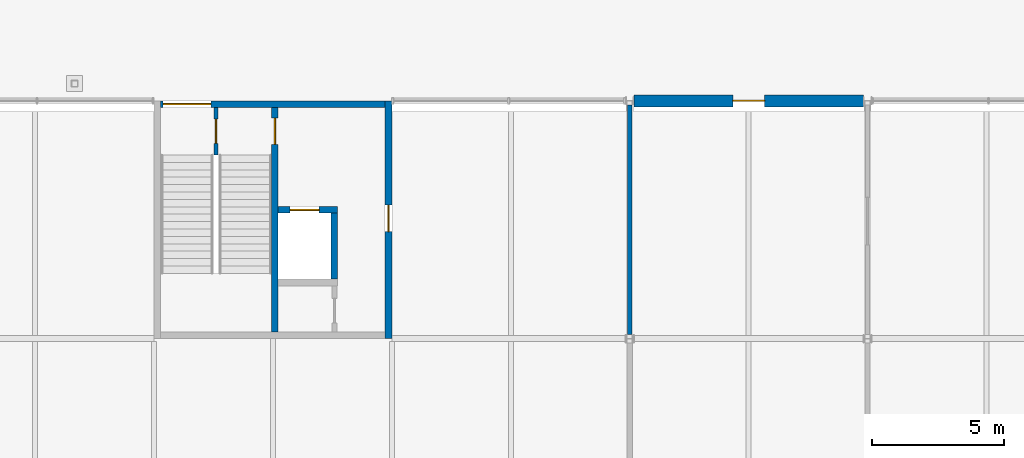
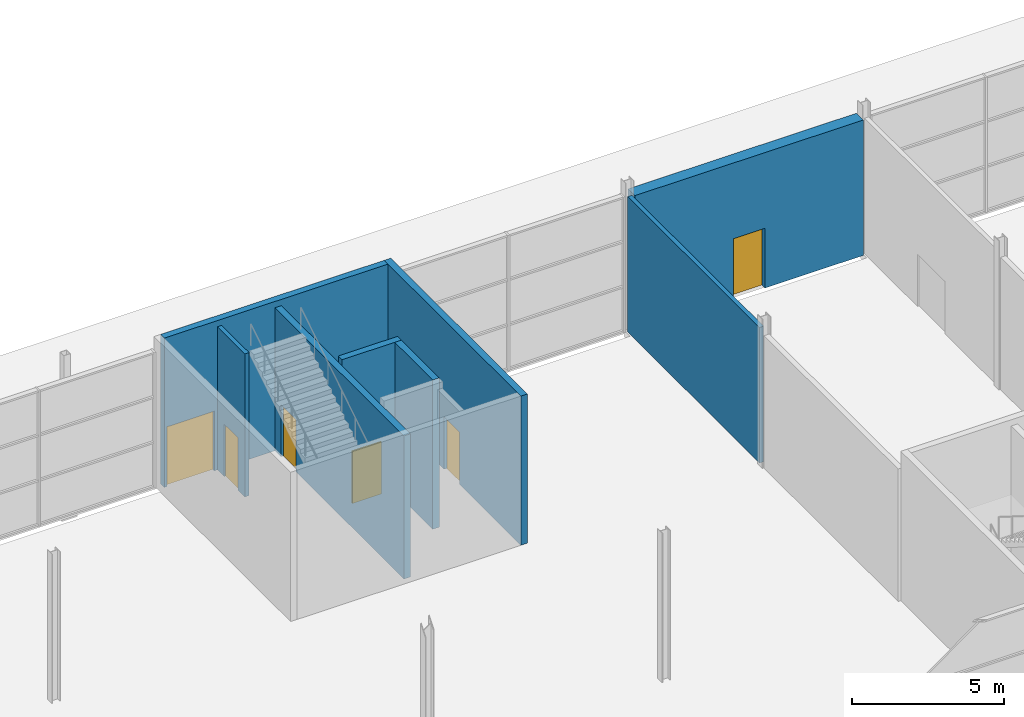
# One storey, part 73 of 97: 8 walls, 6 doors, 6 openings.
"""IFC4 building model written with IfcOpenShell, lengths in metres."""

from ifc_helpers import new_model, si_unit, direction, frame, frame_2d, origin, place, context, subcontext, project, spatial, rectangle, extrude, material, layer, layer_set, type_object, element, fill, save


model = new_model("IFC4")

# Units and contexts
model_context = context("Model", 3, precision=1e-05, world=origin(), true_north=direction((0.0, 1.0)))
body_context = subcontext(model_context, "Body", "Model", "MODEL_VIEW")
ifc_project = project(units=[si_unit("LENGTHUNIT", "METRE"), si_unit("AREAUNIT", "SQUARE_METRE"), si_unit("VOLUMEUNIT", "CUBIC_METRE"), si_unit("PLANEANGLEUNIT", "RADIAN"), si_unit("MASSUNIT", "GRAM", prefix="KILO")], contexts=[model_context])

# Site, building, storey
site_placement = place(None, origin())
site = spatial("IfcSite", under=ifc_project, at=site_placement, CompositionType="ELEMENT")
building_placement = place(site_placement, origin())
building = spatial("IfcBuilding", under=site, at=building_placement, Name="Corbel Yard City Hall", CompositionType="ELEMENT")
storey_placement = place(building_placement, origin())
storey = spatial("IfcBuildingStorey", under=building, at=storey_placement, Name="L00", CompositionType="ELEMENT", Elevation=0.0)

# Wall, opening, door
ifc_material_1 = material(Name="Concrete N50 (50 MPa)", Category="concrete")
ifc_layer_1 = layer(ifc_material_1, 0.25)
ifc_layer_set_1 = layer_set([ifc_layer_1], Name="Concrete N50 (50 MPa)")
wall_type_1 = type_object("IfcWallType", Name="Core cell wall 250", PredefinedType="SHEAR", material=ifc_layer_set_1)
wall_1_placement = place(storey_placement, frame((107.875, 108.0, 0.0), z_axis=(0.0, 0.0, 1.0), x_axis=(0.0, 1.0, 0.0)))
wall_1 = element("IfcWall", 1, at=wall_1_placement, inside=storey, type_object=wall_type_1, Name="Core PC-N2 east wall", PredefinedType="SHEAR", context=body_context, shape_type="SweptSolid", body=[
    extrude(rectangle(XDim=9.0, YDim=0.25, at=frame_2d((4.5, 0.0))), origin(), (0.0, 0.0, 1.0), 6.0),
])
opening_1_placement = place(wall_1_placement, frame((4.050048828125, 0.0, 0.0)))
opening_1 = element("IfcOpeningElement", 2, at=opening_1_placement, cuts=wall_1, Name="Opening L00-211", PredefinedType="OPENING", context=body_context, shape_type="SweptSolid", body=[
    extrude(rectangle(XDim=1.0, YDim=2.10009765625, at=frame_2d((0.5, 1.050048828125))), frame((0.0, 0.135009765625, 0.0), z_axis=(0.0, -1.0, 0.0), x_axis=(1.0, 0.0, 0.0)), (0.0, 0.0, 1.0), 0.27001953125),
])
ifc_material_2 = material(Name="Steel Grade G250", Category="steel")
door_type_1 = type_object("IfcDoorType", Name="FS1", OperationType="SINGLE_SWING_LEFT", PredefinedType="DOOR", material=ifc_material_2)
door_1_placement = place(opening_1_placement, origin())
door_1 = element("IfcDoor", 3, at=door_1_placement, inside=storey, type_object=door_type_1, Name="Door Lift Lobby", OperationType="SINGLE_SWING_RIGHT", OverallHeight=2.10009765625, OverallWidth=1.0, PredefinedType="DOOR", context=body_context, shape_type="SweptSolid", body=[
    extrude(rectangle(XDim=1.0, YDim=2.10009765625, at=frame_2d((0.5, 1.050048828125))), frame((0.0, 0.02490234375, 0.0), z_axis=(0.0, -1.0, 0.0), x_axis=(1.0, 0.0, 0.0)), (0.0, 0.0, 1.0), 0.050048828125),
])
fill(opening_1, door_1)

wall_2_placement = place(storey_placement, frame((99.25, 116.875, 0.0), z_axis=(0.0, 0.0, 1.0), x_axis=(1.0, 0.0, 0.0)))
wall_2 = element("IfcWall", 4, at=wall_2_placement, inside=storey, type_object=wall_type_1, Name="Core PC-N2 north wall", PredefinedType="SHEAR", context=body_context, shape_type="SweptSolid", body=[
    extrude(rectangle(XDim=8.5, YDim=0.25, at=frame_2d((4.25, 0.0))), origin(), (0.0, 0.0, 1.0), 6.0),
])
opening_2_placement = place(wall_2_placement, frame((0.10009765625, 0.0, 0.0)))
opening_2 = element("IfcOpeningElement", 5, at=opening_2_placement, cuts=wall_2, Name="Opening L00-046", PredefinedType="OPENING", context=body_context, shape_type="SweptSolid", body=[
    extrude(rectangle(XDim=1.800048828125, YDim=2.39990234375, at=frame_2d((0.89990234375, 1.199951171875))), frame((0.0, 0.135009765625, 0.0), z_axis=(0.0, -1.0, 0.0), x_axis=(1.0, 0.0, 0.0)), (0.0, 0.0, 1.0), 0.27001953125),
])
ifc_material_3 = material(Name="Steel Grade G250, insulated infill", Category="steel")
door_type_2 = type_object("IfcDoorType", Name="XD2", OperationType="DOUBLE_DOOR_SINGLE_SWING", PredefinedType="DOOR", material=ifc_material_3)
door_2_placement = place(opening_2_placement, origin())
door_2 = element("IfcDoor", 6, at=door_2_placement, inside=storey, type_object=door_type_2, Name="Stair exit door PC-N2", OperationType="DOUBLE_DOOR_SINGLE_SWING", OverallHeight=2.39990234375, OverallWidth=1.800048828125, PredefinedType="DOOR", context=body_context, shape_type="SweptSolid", body=[
    extrude(rectangle(XDim=1.800048828125, YDim=2.39990234375, at=frame_2d((0.89990234375, 1.199951171875))), frame((0.0, 0.02490234375, 0.0), z_axis=(0.0, -1.0, 0.0), x_axis=(1.0, 0.0, 0.0)), (0.0, 0.0, 1.0), 0.050048828125),
])
fill(opening_2, door_2)

ifc_material_4 = material(Name="Sandstone cladding", Category="masonry")
ifc_layer_2 = layer(ifc_material_4, 0.06005859375)
ifc_material_5 = material(Name="Air cavity", Category="air")
ifc_layer_3 = layer(ifc_material_5, 0.0400390625)
ifc_material_6 = material(Name="Concrete N40 (40 MPa)", Category="concrete")
ifc_layer_4 = layer(ifc_material_6, 0.25)
ifc_material_7 = material(Name="Mineral wool", Category="insulation")
ifc_layer_5 = layer(ifc_material_7, 0.10009765625)
ifc_layer_set_2 = layer_set([ifc_layer_2, ifc_layer_3, ifc_layer_4, ifc_layer_5], Name="Concrete N40 (40 MPa)")
wall_type_2 = type_object("IfcWallType", Name="EW2", PredefinedType="SOLIDWALL", material=ifc_layer_set_2)
wall_3_placement = place(storey_placement, frame((117.157470703125, 117.0, 0.0), z_axis=(0.0, 0.0, 1.0), x_axis=(1.0, 0.0, 0.0)))
wall_3 = element("IfcWall", 7, at=wall_3_placement, inside=storey, type_object=wall_type_2, Name="Entrance pier wall", PredefinedType="SOLIDWALL", context=body_context, shape_type="SweptSolid", body=[
    extrude(rectangle(XDim=8.68505859375, YDim=0.449951171875, at=frame_2d((4.342529296875, 0.0))), origin(), (0.0, 0.0, 1.0), 5.444091796875),
])
opening_3_placement = place(wall_3_placement, frame((3.742431640625, 0.0, 0.0)))
opening_3 = element("IfcOpeningElement", 8, at=opening_3_placement, cuts=wall_3, Name="Opening L00-023", PredefinedType="OPENING", context=body_context, shape_type="SweptSolid", body=[
    extrude(rectangle(XDim=1.199951171875, YDim=2.39990234375, at=frame_2d((0.60009765625, 1.199951171875))), frame((0.0, 0.23486328125, 0.0), z_axis=(0.0, -1.0, 0.0), x_axis=(1.0, 0.0, 0.0)), (0.0, 0.0, 1.0), 0.469970703125),
])
door_type_3 = type_object("IfcDoorType", Name="XD10", OperationType="SINGLE_SWING_LEFT", PredefinedType="DOOR", material=ifc_material_3)
door_3_placement = place(opening_3_placement, origin())
door_3 = element("IfcDoor", 9, at=door_3_placement, inside=storey, type_object=door_type_3, Name="Staff entrance door 1", OperationType="SINGLE_SWING_LEFT", OverallHeight=2.39990234375, OverallWidth=1.199951171875, PredefinedType="DOOR", context=body_context, shape_type="SweptSolid", body=[
    extrude(rectangle(XDim=1.199951171875, YDim=2.39990234375, at=frame_2d((0.60009765625, 1.199951171875))), frame((0.0, 0.02490234375, 0.0), z_axis=(0.0, -1.0, 0.0), x_axis=(1.0, 0.0, 0.0)), (0.0, 0.0, 1.0), 0.050048828125),
])
fill(opening_3, door_3)

ifc_layer_6 = layer(ifc_material_6, 0.25)
ifc_layer_set_3 = layer_set([ifc_layer_6], Name="Concrete N40 (40 MPa)")
wall_type_3 = type_object("IfcWallType", Name="IW2", PredefinedType="SOLIDWALL", material=ifc_layer_set_3)
wall_4_placement = place(storey_placement, frame((103.574951171875, 116.75, 0.0), z_axis=(0.0, 0.0, 1.0), x_axis=(0.0, -1.0, 0.0)))
wall_4 = element("IfcWall", 10, at=wall_4_placement, inside=storey, type_object=wall_type_3, Name="Stair enclosure wall", PredefinedType="SOLIDWALL", context=body_context, shape_type="SweptSolid", body=[
    extrude(rectangle(XDim=8.5, YDim=0.25, at=frame_2d((4.25, 0.0))), origin(), (0.0, 0.0, 1.0), 5.75),
])
opening_4_placement = place(wall_4_placement, frame((0.39990234375, 0.0, 0.0)))
opening_4 = element("IfcOpeningElement", 11, at=opening_4_placement, cuts=wall_4, Name="Opening L00-195", PredefinedType="OPENING", context=body_context, shape_type="SweptSolid", body=[
    extrude(rectangle(XDim=1.0, YDim=2.10009765625, at=frame_2d((0.5, 1.050048828125))), frame((0.0, 0.135009765625, 0.0), z_axis=(0.0, -1.0, 0.0), x_axis=(1.0, 0.0, 0.0)), (0.0, 0.0, 1.0), 0.27001953125),
])
door_4_placement = place(opening_4_placement, frame((1.0, 0.0, 0.0), z_axis=(0.0, 0.0, 1.0), x_axis=(-1.0, 0.0, 0.0)))
door_4 = element("IfcDoor", 12, at=door_4_placement, inside=storey, type_object=door_type_1, Name="Door Exit Stair 17", OperationType="SINGLE_SWING_RIGHT", OverallHeight=2.10009765625, OverallWidth=1.0, PredefinedType="DOOR", context=body_context, shape_type="SweptSolid", body=[
    extrude(rectangle(XDim=1.0, YDim=2.10009765625, at=frame_2d((0.5, 1.050048828125))), frame((0.0, 0.02490234375, 0.0), z_axis=(0.0, -1.0, 0.0), x_axis=(1.0, 0.0, 0.0)), (0.0, 0.0, 1.0), 0.050048828125),
])
fill(opening_4, door_4)

wall_5_placement = place(storey_placement, frame((103.699951171875, 112.875, 0.0), z_axis=(0.0, 0.0, 1.0), x_axis=(1.0, 0.0, 0.0)))
wall_5 = element("IfcWall", 13, at=wall_5_placement, inside=storey, type_object=wall_type_3, Name="Lift LP17 shaft wall", PredefinedType="SOLIDWALL", context=body_context, shape_type="SweptSolid", body=[
    extrude(rectangle(XDim=2.25, YDim=0.25, at=frame_2d((1.125, 0.0))), origin(), (0.0, 0.0, 1.0), 6.0),
])
opening_5_placement = place(wall_5_placement, frame((0.449951171875, 0.0, 0.0)))
opening_5 = element("IfcOpeningElement", 14, at=opening_5_placement, cuts=wall_5, Name="Opening L00-187", PredefinedType="OPENING", context=body_context, shape_type="SweptSolid", body=[
    extrude(rectangle(XDim=1.10009765625, YDim=2.10009765625, at=frame_2d((0.550048828125, 1.050048828125))), frame((0.0, 0.135009765625, 0.0), z_axis=(0.0, -1.0, 0.0), x_axis=(1.0, 0.0, 0.0)), (0.0, 0.0, 1.0), 0.27001953125),
])
ifc_material_8 = material(Name="Stainless steel Grade 316", Category="steel")
door_type_4 = type_object("IfcDoorType", Name="LD1", OperationType="DOUBLE_DOOR_SLIDING", PredefinedType="DOOR", material=ifc_material_8)
door_5_placement = place(opening_5_placement, origin())
door_5 = element("IfcDoor", 15, at=door_5_placement, inside=storey, type_object=door_type_4, Name="Lift LP17 landing door", OperationType="DOUBLE_DOOR_SLIDING", OverallHeight=2.10009765625, OverallWidth=1.10009765625, PredefinedType="DOOR", context=body_context, shape_type="SweptSolid", body=[
    extrude(rectangle(XDim=1.10009765625, YDim=2.10009765625, at=frame_2d((0.550048828125, 1.050048828125))), frame((0.0, 0.02490234375, 0.0), z_axis=(0.0, -1.0, 0.0), x_axis=(1.0, 0.0, 0.0)), (0.0, 0.0, 1.0), 0.050048828125),
])
fill(opening_5, door_5)

# Wall
wall_6_placement = place(storey_placement, frame((105.824951171875, 110.25, 0.0), z_axis=(0.0, 0.0, 1.0), x_axis=(0.0, 1.0, 0.0)))
element("IfcWall", 16, at=wall_6_placement, inside=storey, type_object=wall_type_3, Name="Lift LP17 shaft wall", PredefinedType="SOLIDWALL", context=body_context, shape_type="SweptSolid", body=[
    extrude(rectangle(XDim=2.5, YDim=0.25, at=frame_2d((1.25, 0.0))), origin(), (0.0, 0.0, 1.0), 6.0),
])

# Wall, opening, door
ifc_material_9 = material(Name="Gypsum plasterboard", Category="gypsum")
ifc_layer_7 = layer(ifc_material_9, 0.031982421875)
ifc_material_10 = material(Name="Steel Grade G550 (550 MPa yield)", Category="steel")
ifc_layer_8 = layer(ifc_material_10, 0.095947265625)
ifc_layer_9 = layer(ifc_material_9, 0.031982421875)
ifc_layer_set_4 = layer_set([ifc_layer_7, ifc_layer_8, ifc_layer_9], Name="Steel Grade G550 (550 MPa yield)")
wall_type_4 = type_object("IfcWallType", Name="PT3", PredefinedType="PARTITIONING", material=ifc_layer_set_4)
wall_7_placement = place(storey_placement, frame((101.35009765625, 116.75, 0.0), z_axis=(0.0, 0.0, 1.0), x_axis=(0.0, -1.0, 0.0)))
wall_7 = element("IfcWall", 17, at=wall_7_placement, inside=storey, type_object=wall_type_4, Name="Stair screen wall", PredefinedType="PARTITIONING", context=body_context, shape_type="SweptSolid", body=[
    extrude(rectangle(XDim=1.800048828125, YDim=0.159912109375, at=frame_2d((0.89990234375, 0.0))), origin(), (0.0, 0.0, 1.0), 5.75),
])
opening_6_placement = place(wall_7_placement, frame((0.43994140625, 0.0, 0.0)))
opening_6 = element("IfcOpeningElement", 18, at=opening_6_placement, cuts=wall_7, Name="Opening L00-197", PredefinedType="OPENING", context=body_context, shape_type="SweptSolid", body=[
    extrude(rectangle(XDim=0.919921875, YDim=2.10009765625, at=frame_2d((0.4599609375, 1.050048828125))), frame((0.0, 0.08984375, 0.0), z_axis=(0.0, -1.0, 0.0), x_axis=(1.0, 0.0, 0.0)), (0.0, 0.0, 1.0), 0.179931640625),
])
door_type_5 = type_object("IfcDoorType", Name="FD5", OperationType="SINGLE_SWING_RIGHT", PredefinedType="DOOR", material=ifc_material_2)
door_6_placement = place(opening_6_placement, origin())
door_6 = element("IfcDoor", 19, at=door_6_placement, inside=storey, type_object=door_type_5, Name="Door stair screen", OperationType="SINGLE_SWING_LEFT", OverallHeight=2.10009765625, OverallWidth=0.919921875, PredefinedType="DOOR", context=body_context, shape_type="SweptSolid", body=[
    extrude(rectangle(XDim=0.919921875, YDim=2.10009765625, at=frame_2d((0.4599609375, 1.050048828125))), frame((0.0, 0.02490234375, 0.0), z_axis=(0.0, -1.0, 0.0), x_axis=(1.0, 0.0, 0.0)), (0.0, 0.0, 1.0), 0.050048828125),
])
fill(opening_6, door_6)

# Wall
wall_8_placement = place(storey_placement, frame((117.0, 108.16357421875, 0.0), z_axis=(0.0, 0.0, 1.0), x_axis=(0.0, 1.0, 0.0)))
element("IfcWall", 20, at=wall_8_placement, inside=storey, type_object=wall_type_4, Name="Fire-resisting wall", PredefinedType="PARTITIONING", context=body_context, shape_type="SweptSolid", body=[
    extrude(rectangle(XDim=8.678955078125, YDim=0.159912109375, at=frame_2d((4.33935546875, 0.0))), origin(), (0.0, 0.0, 1.0), 5.447021484375),
])

save(model, "model.ifc")
